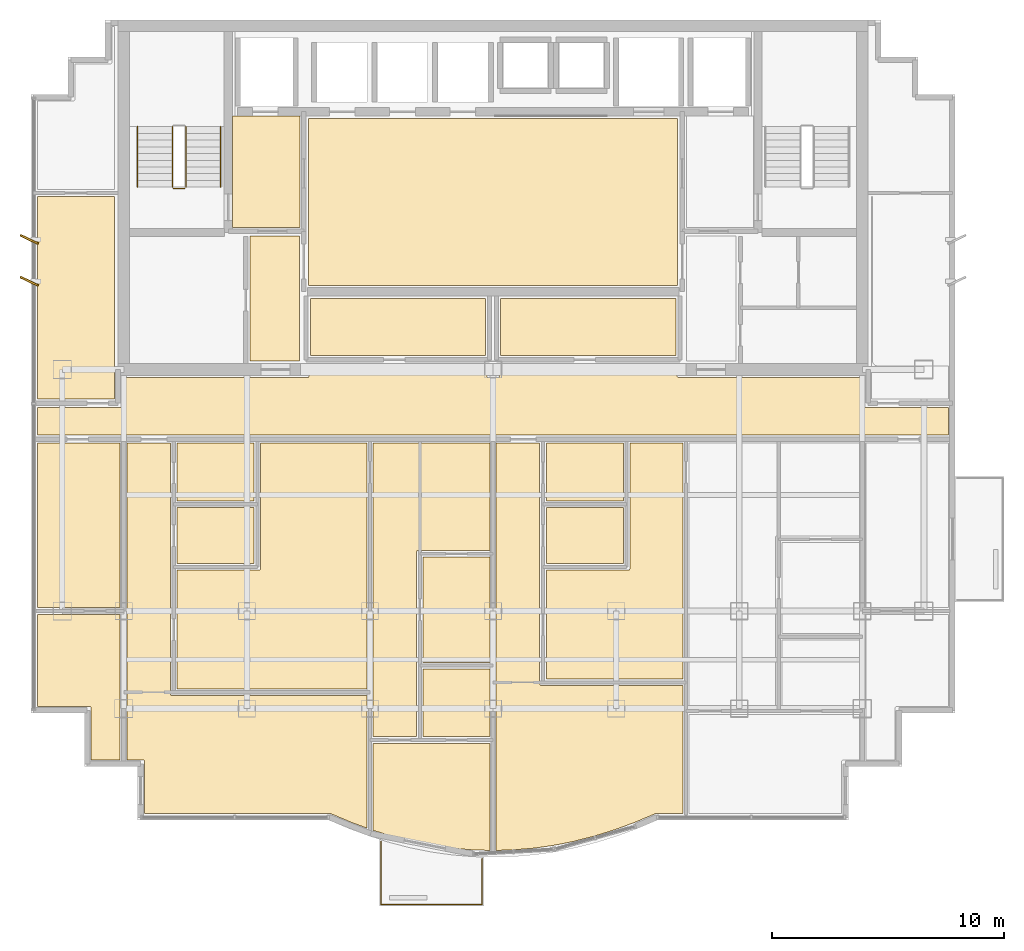
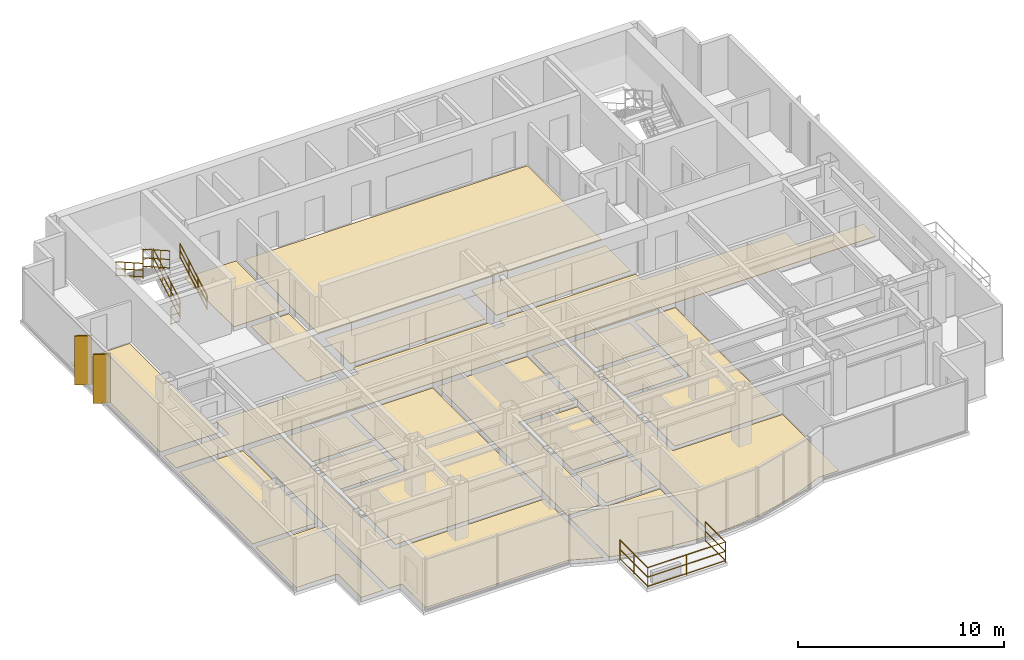
# One storey, part 10 of 11: 21 coverings, 6 railings, 2 shading devices.
"""IFC4 building model written with IfcOpenShell, lengths in metres."""

from ifc_helpers import new_model, si_unit, direction, frame, origin, origin_2d, place, context, subcontext, project, spatial, polyline, rectangle, circle, outline, extrude, source, transform, mapped, material, layer, layer_set, type_object, element, save


model = new_model("IFC4")

# Units and contexts
model_context = context("Model", 3, precision=1e-05, world=origin(), true_north=direction((0.0, 1.0)))
body_context = subcontext(model_context, "Body", "Model", "MODEL_VIEW")
ifc_project = project(units=[si_unit("LENGTHUNIT", "METRE"), si_unit("AREAUNIT", "SQUARE_METRE"), si_unit("VOLUMEUNIT", "CUBIC_METRE"), si_unit("PLANEANGLEUNIT", "RADIAN"), si_unit("MASSUNIT", "GRAM", prefix="KILO")], contexts=[model_context])

# Site, building, storey
site_placement = place(None, origin())
site = spatial("IfcSite", under=ifc_project, at=site_placement, CompositionType="ELEMENT")
building_placement = place(site_placement, origin())
building = spatial("IfcBuilding", under=site, at=building_placement, Name="Qianlan Lanfeng Residences", CompositionType="ELEMENT")
storey_placement = place(building_placement, frame((0.0, 0.0, 226.39990234375)))
storey = spatial("IfcBuildingStorey", under=building, at=storey_placement, Name="L62", CompositionType="ELEMENT", Elevation=226.39990234375)

# Coverings
ifc_material_1 = material(Name="Honed Taitung Granite Stone Flooring", Category="masonry")
ifc_layer_1 = layer(ifc_material_1, 0.030029296875)
ifc_layer_set_1 = layer_set([ifc_layer_1], Name="Honed Taitung Granite Stone Flooring")
covering_type_1 = type_object("IfcCoveringType", Name="FLR-STN-30", PredefinedType="FLOORING", material=ifc_layer_set_1)
covering_1_placement = place(storey_placement, origin())
element("IfcCovering", 1, at=covering_1_placement, inside=storey, type_object=covering_type_1, Name="L62 Firefighting Lift Lobby Floor Finish", PredefinedType="FLOORING", context=body_context, shape_type="SweptSolid", body=[
    extrude(outline(polyline([(15.2900390625, 31.320068359375), (18.179931640625, 31.320068359375), (18.179931640625, 36.110107421875), (15.2900390625, 36.110107421875), (15.2900390625, 31.320068359375)])), origin(), (0.0, 0.0, 1.0), 0.030029296875),
])
covering_2_placement = place(storey_placement, origin())
element("IfcCovering", 2, at=covering_2_placement, inside=storey, type_object=covering_type_1, Name="L62 Lift Lobby Floor Finish", PredefinedType="FLOORING", context=body_context, shape_type="SweptSolid", body=[
    extrude(outline(polyline([(18.550048828125, 28.820068359375), (34.449951171875, 28.820068359375), (34.449951171875, 36.010009765625), (18.550048828125, 36.010009765625), (18.550048828125, 28.820068359375)])), origin(), (0.0, 0.0, 1.0), 0.030029296875),
])
covering_3_placement = place(storey_placement, origin())
element("IfcCovering", 3, at=covering_3_placement, inside=storey, type_object=covering_type_1, Name="L62 Residential Corridor Floor Finish", PredefinedType="FLOORING", context=body_context, shape_type="SweptSolid", body=[
    extrude(outline(polyline([(6.889892578125, 22.3798828125), (46.110107421875, 22.3798828125), (46.110107421875, 23.570068359375), (42.5400390625, 23.570068359375), (42.532958984375, 23.570068359375), (42.52587890625, 23.571044921875), (42.52001953125, 23.572998046875), (42.512939453125, 23.574951171875), (42.507080078125, 23.577880859375), (42.5009765625, 23.58203125), (42.49609375, 23.5859375), (42.490966796875, 23.591064453125), (42.486083984375, 23.595947265625), (42.48193359375, 23.60107421875), (42.47802734375, 23.60693359375), (42.47509765625, 23.613037109375), (42.472900390625, 23.6201171875), (42.470947265625, 23.6259765625), (42.469970703125, 23.633056640625), (42.469970703125, 23.639892578125), (42.469970703125, 24.85009765625), (34.5, 24.85009765625), (34.492919921875, 24.85009765625), (34.486083984375, 24.85107421875), (34.47998046875, 24.85302734375), (34.472900390625, 24.85498046875), (34.467041015625, 24.85791015625), (34.4609375, 24.862060546875), (34.4560546875, 24.865966796875), (34.450927734375, 24.87109375), (34.446044921875, 24.8759765625), (34.44189453125, 24.881103515625), (34.43798828125, 24.886962890625), (34.43505859375, 24.89306640625), (34.43310546875, 24.89990234375), (34.430908203125, 24.906005859375), (34.429931640625, 24.9130859375), (34.429931640625, 24.919921875), (34.429931640625, 25.429931640625), (26.77001953125, 25.429931640625), (26.77001953125, 24.919921875), (26.77001953125, 24.9130859375), (26.76904296875, 24.906005859375), (26.76708984375, 24.89990234375), (26.764892578125, 24.89306640625), (26.761962890625, 24.886962890625), (26.758056640625, 24.881103515625), (26.75390625, 24.8759765625), (26.7490234375, 24.87109375), (26.743896484375, 24.865966796875), (26.739013671875, 24.862060546875), (26.73291015625, 24.85791015625), (26.72705078125, 24.85498046875), (26.719970703125, 24.85302734375), (26.714111328125, 24.85107421875), (26.70703125, 24.85009765625), (26.699951171875, 24.85009765625), (26.300048828125, 24.85009765625), (26.29296875, 24.85009765625), (26.285888671875, 24.85107421875), (26.280029296875, 24.85302734375), (26.27294921875, 24.85498046875), (26.26708984375, 24.85791015625), (26.260986328125, 24.862060546875), (26.256103515625, 24.865966796875), (26.2509765625, 24.87109375), (26.24609375, 24.8759765625), (26.241943359375, 24.881103515625), (26.238037109375, 24.886962890625), (26.235107421875, 24.89306640625), (26.23291015625, 24.89990234375), (26.23095703125, 24.906005859375), (26.22998046875, 24.9130859375), (26.22998046875, 24.919921875), (26.22998046875, 25.429931640625), (18.570068359375, 25.429931640625), (18.570068359375, 24.919921875), (18.570068359375, 24.9130859375), (18.569091796875, 24.906005859375), (18.56689453125, 24.89990234375), (18.56494140625, 24.89306640625), (18.56201171875, 24.886962890625), (18.55810546875, 24.881103515625), (18.553955078125, 24.8759765625), (18.549072265625, 24.87109375), (18.5439453125, 24.865966796875), (18.5390625, 24.862060546875), (18.532958984375, 24.85791015625), (18.527099609375, 24.85498046875), (18.52001953125, 24.85302734375), (18.513916015625, 24.85107421875), (18.507080078125, 24.85009765625), (18.5, 24.85009765625), (10.530029296875, 24.85009765625), (10.530029296875, 23.639892578125), (10.530029296875, 23.633056640625), (10.529052734375, 23.6259765625), (10.527099609375, 23.6201171875), (10.52490234375, 23.613037109375), (10.52197265625, 23.60693359375), (10.51806640625, 23.60107421875), (10.513916015625, 23.595947265625), (10.509033203125, 23.591064453125), (10.50390625, 23.5859375), (10.4990234375, 23.58203125), (10.492919921875, 23.577880859375), (10.487060546875, 23.574951171875), (10.47998046875, 23.572998046875), (10.47412109375, 23.571044921875), (10.467041015625, 23.570068359375), (10.4599609375, 23.570068359375), (6.889892578125, 23.570068359375), (6.889892578125, 22.3798828125)])), origin(), (0.0, 0.0, 1.0), 0.030029296875),
])
covering_4_placement = place(storey_placement, origin())
element("IfcCovering", 4, at=covering_4_placement, inside=storey, type_object=covering_type_1, Name="L62 Lift Lobby Floor Finish", PredefinedType="FLOORING", context=body_context, shape_type="SweptSolid", body=[
    extrude(outline(polyline([(16.030029296875, 25.56005859375), (18.169921875, 25.56005859375), (18.169921875, 30.949951171875), (16.030029296875, 30.949951171875), (16.030029296875, 25.56005859375)])), origin(), (0.0, 0.0, 1.0), 0.030029296875),
])
ifc_material_2 = material(Name="Slip-Resistant Porcelain Tile Flooring")
ifc_layer_2 = layer(ifc_material_2, 0.02001953125)
ifc_layer_set_2 = layer_set([ifc_layer_2], Name="Slip-Resistant Porcelain Tile Flooring")
covering_type_2 = type_object("IfcCoveringType", Name="FLR-TIL-20", PredefinedType="FLOORING", material=ifc_layer_set_2)
covering_5_placement = place(storey_placement, origin())
element("IfcCovering", 5, at=covering_5_placement, inside=storey, type_object=covering_type_2, Name="L62 Kitchen Floor Finish", PredefinedType="FLOORING", context=body_context, shape_type="SweptSolid", body=[
    extrude(outline(polyline([(12.889892578125, 16.840087890625), (16.2099609375, 16.840087890625), (16.2099609375, 19.260009765625), (12.889892578125, 19.260009765625), (12.889892578125, 16.840087890625)])), origin(), (0.0, 0.0, 1.0), 0.02001953125),
])
covering_6_placement = place(storey_placement, origin())
element("IfcCovering", 6, at=covering_6_placement, inside=storey, type_object=covering_type_2, Name="L62 Bathroom Floor Finish", PredefinedType="FLOORING", context=body_context, shape_type="SweptSolid", body=[
    extrude(outline(polyline([(12.889892578125, 19.5400390625), (16.2099609375, 19.5400390625), (16.2099609375, 22.030029296875), (12.889892578125, 22.030029296875), (12.889892578125, 19.5400390625)])), origin(), (0.0, 0.0, 1.0), 0.02001953125),
])
covering_7_placement = place(storey_placement, origin())
element("IfcCovering", 7, at=covering_7_placement, inside=storey, type_object=covering_type_2, Name="L62 En-Suite Bathroom Floor Finish", PredefinedType="FLOORING", context=body_context, shape_type="SweptSolid", body=[
    extrude(outline(polyline([(23.489990234375, 9.387939453125), (26.3701171875, 9.387939453125), (26.3701171875, 12.30810546875), (23.489990234375, 12.30810546875), (23.489990234375, 9.387939453125)])), origin(), (0.0, 0.0, 1.0), 0.02001953125),
])
covering_8_placement = place(storey_placement, origin())
element("IfcCovering", 8, at=covering_8_placement, inside=storey, type_object=covering_type_2, Name="L62 Kitchen Floor Finish", PredefinedType="FLOORING", context=body_context, shape_type="SweptSolid", body=[
    extrude(outline(polyline([(28.7900390625, 16.840087890625), (32.110107421875, 16.840087890625), (32.110107421875, 19.260009765625), (28.7900390625, 19.260009765625), (28.7900390625, 16.840087890625)])), origin(), (0.0, 0.0, 1.0), 0.02001953125),
])
covering_9_placement = place(storey_placement, origin())
element("IfcCovering", 9, at=covering_9_placement, inside=storey, type_object=covering_type_2, Name="L62 Bathroom Floor Finish", PredefinedType="FLOORING", context=body_context, shape_type="SweptSolid", body=[
    extrude(outline(polyline([(28.7900390625, 19.5400390625), (32.110107421875, 19.5400390625), (32.110107421875, 22.030029296875), (28.7900390625, 22.030029296875), (28.7900390625, 19.5400390625)])), origin(), (0.0, 0.0, 1.0), 0.02001953125),
])
ifc_material_3 = material(Name="Engineered Smoked Oak Timber Flooring", Category="wood")
ifc_layer_3 = layer(ifc_material_3, 0.02197265625)
ifc_layer_set_3 = layer_set([ifc_layer_3], Name="Engineered Smoked Oak Timber Flooring")
covering_type_3 = type_object("IfcCoveringType", Name="FLR-TIM-22", PredefinedType="FLOORING", material=ifc_layer_set_3)
covering_10_placement = place(storey_placement, origin())
element("IfcCovering", 10, at=covering_10_placement, inside=storey, type_object=covering_type_3, Name="L62 Resident Reading Lounge Floor Finish", PredefinedType="FLOORING", context=body_context, shape_type="SweptSolid", body=[
    extrude(outline(polyline([(18.6298828125, 25.800048828125), (26.169921875, 25.800048828125), (26.169921875, 28.2548828125), (18.6298828125, 28.2548828125), (18.6298828125, 25.800048828125)])), origin(), (0.0, 0.0, 1.0), 0.022216796875),
])
covering_11_placement = place(storey_placement, origin())
element("IfcCovering", 11, at=covering_11_placement, inside=storey, type_object=covering_type_3, Name="L62 Panoramic Sky Foyer Salon Floor Finish", PredefinedType="FLOORING", context=body_context, shape_type="SweptSolid", body=[
    extrude(outline(polyline([(26.830078125, 25.800048828125), (34.3701171875, 25.800048828125), (34.3701171875, 28.2548828125), (26.830078125, 28.2548828125), (26.830078125, 25.800048828125)])), origin(), (0.0, 0.0, 1.0), 0.022216796875),
])
covering_12_placement = place(storey_placement, origin())
element("IfcCovering", 12, at=covering_12_placement, inside=storey, type_object=covering_type_3, Name="L62 Living and Dining Room Floor Finish", PredefinedType="FLOORING", context=body_context, shape_type="SweptSolid", body=[
    extrude(outline(polyline([(21.070068359375, 5.452880859375), (21.070068359375, 11.1630859375), (12.679931640625, 11.1630859375), (12.673095703125, 11.1630859375), (12.666015625, 11.1640625), (12.659912109375, 11.166015625), (12.653076171875, 11.16796875), (12.64697265625, 11.1708984375), (12.64111328125, 11.175048828125), (12.635986328125, 11.178955078125), (12.631103515625, 11.18408203125), (12.6259765625, 11.18896484375), (12.6220703125, 11.194091796875), (12.617919921875, 11.199951171875), (12.614990234375, 11.2060546875), (12.613037109375, 11.212890625), (12.611083984375, 11.218994140625), (12.610107421875, 11.22607421875), (12.610107421875, 11.23291015625), (12.610107421875, 22.030029296875), (10.72998046875, 22.030029296875), (10.72998046875, 8.389892578125), (11.419921875, 8.389892578125), (11.427001953125, 8.389892578125), (11.43408203125, 8.388916015625), (11.43994140625, 8.386962890625), (11.447021484375, 8.385009765625), (11.452880859375, 8.382080078125), (11.458984375, 8.3779296875), (11.464111328125, 8.3740234375), (11.468994140625, 8.368896484375), (11.47412109375, 8.364013671875), (11.47802734375, 8.35888671875), (11.48193359375, 8.35302734375), (11.485107421875, 8.346923828125), (11.487060546875, 8.340087890625), (11.489013671875, 8.333984375), (11.489990234375, 8.326904296875), (11.489990234375, 8.320068359375), (11.489990234375, 6.090087890625), (19.465087890625, 6.090087890625), (19.471923828125, 6.090087890625), (19.47900390625, 6.089111328125), (19.485107421875, 6.0869140625), (19.491943359375, 6.083984375), (20.412109375, 5.695068359375), (21.070068359375, 5.452880859375)])), origin(), (0.0, 0.0, 1.0), 0.022216796875),
])
covering_13_placement = place(storey_placement, origin())
element("IfcCovering", 13, at=covering_13_placement, inside=storey, type_object=covering_type_3, Name="L62 Villa Family Sitting Room Floor Finish", PredefinedType="FLOORING", context=body_context, shape_type="SweptSolid", body=[
    extrude(outline(polyline([(12.889892578125, 11.443115234375), (21.070068359375, 11.443115234375), (21.070068359375, 22.030029296875), (16.489990234375, 22.030029296875), (16.489990234375, 16.6298828125), (16.489990234375, 16.623046875), (16.489013671875, 16.615966796875), (16.487060546875, 16.610107421875), (16.485107421875, 16.60302734375), (16.48193359375, 16.596923828125), (16.47802734375, 16.591064453125), (16.47412109375, 16.5859375), (16.468994140625, 16.5810546875), (16.464111328125, 16.575927734375), (16.458984375, 16.572021484375), (16.452880859375, 16.568115234375), (16.447021484375, 16.56494140625), (16.43994140625, 16.56298828125), (16.43408203125, 16.56103515625), (16.427001953125, 16.56005859375), (16.419921875, 16.56005859375), (12.889892578125, 16.56005859375), (12.889892578125, 11.443115234375)])), origin(), (0.0, 0.0, 1.0), 0.022216796875),
])
covering_14_placement = place(storey_placement, origin())
element("IfcCovering", 14, at=covering_14_placement, inside=storey, type_object=covering_type_3, Name="L62 Private Study Floor Finish", PredefinedType="FLOORING", context=body_context, shape_type="SweptSolid", body=[
    extrude(outline(polyline([(23.489990234375, 12.587890625), (26.3701171875, 12.587890625), (26.3701171875, 17.134033203125), (23.489990234375, 17.134033203125), (23.489990234375, 12.587890625)])), origin(), (0.0, 0.0, 1.0), 0.022216796875),
])
covering_15_placement = place(storey_placement, origin())
element("IfcCovering", 15, at=covering_15_placement, inside=storey, type_object=covering_type_3, Name="L62 Villa Family Sitting Room Floor Finish", PredefinedType="FLOORING", context=body_context, shape_type="SweptSolid", body=[
    extrude(outline(polyline([(21.330078125, 9.387939453125), (23.2099609375, 9.387939453125), (23.2099609375, 17.343994140625), (23.2099609375, 17.35107421875), (23.2109375, 17.35791015625), (23.212890625, 17.364013671875), (23.215087890625, 17.37109375), (23.218017578125, 17.376953125), (23.221923828125, 17.383056640625), (23.22607421875, 17.387939453125), (23.23095703125, 17.39306640625), (23.236083984375, 17.39794921875), (23.240966796875, 17.402099609375), (23.2470703125, 17.406005859375), (23.2529296875, 17.408935546875), (23.260009765625, 17.410888671875), (23.26611328125, 17.4130859375), (23.27294921875, 17.4140625), (23.280029296875, 17.4140625), (26.3701171875, 17.4140625), (26.3701171875, 22.030029296875), (21.330078125, 22.030029296875), (21.330078125, 9.387939453125)])), origin(), (0.0, 0.0, 1.0), 0.022216796875),
])
covering_16_placement = place(storey_placement, origin())
element("IfcCovering", 16, at=covering_16_placement, inside=storey, type_object=covering_type_3, Name="L62 Master Bedroom Floor Finish", PredefinedType="FLOORING", context=body_context, shape_type="SweptSolid", body=[
    extrude(outline(polyline([(21.330078125, 9.10791015625), (21.3310546875, 5.360107421875), (22.154052734375, 5.10400390625), (23.02392578125, 4.883056640625), (23.89306640625, 4.7109375), (24.762939453125, 4.587890625), (25.631103515625, 4.514892578125), (26.3701171875, 4.493896484375), (26.3701171875, 9.10791015625), (21.330078125, 9.10791015625)])), origin(), (0.0, 0.0, 1.0), 0.022216796875),
])
covering_17_placement = place(storey_placement, origin())
element("IfcCovering", 17, at=covering_17_placement, inside=storey, type_object=covering_type_3, Name="L62 Living and Dining Room Floor Finish", PredefinedType="FLOORING", context=body_context, shape_type="SweptSolid", body=[
    extrude(outline(polyline([(34.669921875, 6.090087890625), (34.669921875, 11.589111328125), (28.580078125, 11.589111328125), (28.572998046875, 11.589111328125), (28.56591796875, 11.590087890625), (28.56005859375, 11.592041015625), (28.552978515625, 11.593994140625), (28.547119140625, 11.596923828125), (28.541015625, 11.60107421875), (28.535888671875, 11.60498046875), (28.531005859375, 11.610107421875), (28.52587890625, 11.614990234375), (28.52197265625, 11.6201171875), (28.51806640625, 11.6259765625), (28.514892578125, 11.632080078125), (28.512939453125, 11.638916015625), (28.510986328125, 11.64501953125), (28.510009765625, 11.652099609375), (28.510009765625, 11.658935546875), (28.510009765625, 22.030029296875), (26.6298828125, 22.030029296875), (26.6298828125, 4.493896484375), (27.368896484375, 4.514892578125), (28.237060546875, 4.587890625), (29.10693359375, 4.7109375), (29.97607421875, 4.883056640625), (30.845947265625, 5.10400390625), (31.717041015625, 5.375), (32.587890625, 5.695068359375), (33.508056640625, 6.083984375), (33.514892578125, 6.0869140625), (33.52099609375, 6.089111328125), (33.528076171875, 6.090087890625), (33.534912109375, 6.090087890625), (34.669921875, 6.090087890625)])), origin(), (0.0, 0.0, 1.0), 0.022216796875),
])
covering_18_placement = place(storey_placement, origin())
element("IfcCovering", 18, at=covering_18_placement, inside=storey, type_object=covering_type_3, Name="L62 Villa Family Sitting Room Floor Finish", PredefinedType="FLOORING", context=body_context, shape_type="SweptSolid", body=[
    extrude(outline(polyline([(28.7900390625, 11.868896484375), (34.669921875, 11.868896484375), (34.669921875, 22.030029296875), (32.389892578125, 22.030029296875), (32.389892578125, 16.6298828125), (32.389892578125, 16.623046875), (32.388916015625, 16.615966796875), (32.386962890625, 16.610107421875), (32.385009765625, 16.60302734375), (32.382080078125, 16.596923828125), (32.3779296875, 16.591064453125), (32.3740234375, 16.5859375), (32.368896484375, 16.5810546875), (32.364013671875, 16.575927734375), (32.35888671875, 16.572021484375), (32.35302734375, 16.568115234375), (32.346923828125, 16.56494140625), (32.340087890625, 16.56298828125), (32.333984375, 16.56103515625), (32.326904296875, 16.56005859375), (32.320068359375, 16.56005859375), (28.7900390625, 16.56005859375), (28.7900390625, 11.868896484375)])), origin(), (0.0, 0.0, 1.0), 0.022216796875),
])
covering_19_placement = place(storey_placement, origin())
element("IfcCovering", 19, at=covering_19_placement, inside=storey, type_object=covering_type_3, Name="L62 Sunroom Floor Finish", PredefinedType="FLOORING", context=body_context, shape_type="SweptSolid", body=[
    extrude(outline(polyline([(10.43994140625, 14.64990234375), (6.889892578125, 14.64990234375), (6.889892578125, 10.68994140625), (9.1201171875, 10.68994140625), (9.126953125, 10.68994140625), (9.134033203125, 10.68896484375), (9.139892578125, 10.68701171875), (9.14697265625, 10.68505859375), (9.153076171875, 10.681884765625), (9.158935546875, 10.677978515625), (9.1640625, 10.674072265625), (9.1689453125, 10.6689453125), (9.174072265625, 10.6640625), (9.177978515625, 10.658935546875), (9.181884765625, 10.653076171875), (9.18505859375, 10.64697265625), (9.18701171875, 10.639892578125), (9.18896484375, 10.634033203125), (9.18994140625, 10.626953125), (9.18994140625, 10.6201171875), (9.18994140625, 8.389892578125), (10.43994140625, 8.389892578125), (10.43994140625, 14.64990234375)])), origin(), (0.0, 0.0, 1.0), 0.022216796875),
])
covering_20_placement = place(storey_placement, origin())
element("IfcCovering", 20, at=covering_20_placement, inside=storey, type_object=covering_type_3, Name="L62 Family Sitting Room Floor Finish", PredefinedType="FLOORING", context=body_context, shape_type="SweptSolid", body=[
    extrude(outline(polyline([(10.43994140625, 22.030029296875), (6.889892578125, 22.030029296875), (6.889892578125, 14.949951171875), (10.43994140625, 14.949951171875), (10.43994140625, 22.030029296875)])), origin(), (0.0, 0.0, 1.0), 0.022216796875),
])
covering_21_placement = place(storey_placement, origin())
element("IfcCovering", 21, at=covering_21_placement, inside=storey, type_object=covering_type_3, Name="L62 Tea Salon Floor Finish", PredefinedType="FLOORING", context=body_context, shape_type="SweptSolid", body=[
    extrude(outline(polyline([(10.199951171875, 32.64990234375), (6.889892578125, 32.64990234375), (6.889892578125, 23.929931640625), (10.199951171875, 23.929931640625), (10.199951171875, 32.64990234375)])), origin(), (0.0, 0.0, 1.0), 0.022216796875),
])

# Railings
ifc_material_4 = material(Name="Anodised Bronze Aluminium and Laminated Glass Guard Balustrade", Category="aluminium")
railing_type_1 = type_object("IfcRailingType", Name="GR-EXT-1220", PredefinedType="BALUSTRADE", material=ifc_material_4)
railing_1_placement = place(storey_placement, frame((26.030029296875, 4.14306640625, 0.0)))
element("IfcRailing", 22, at=railing_1_placement, inside=storey, type_object=railing_type_1, Name="L62 Terrace Safety Guard GR-L62-SB-C", PredefinedType="BALUSTRADE", context=body_context, shape_type="SweptSolid", body=[
    extrude(circle(Radius=0.02490234375, at=origin_2d()), frame((0.0, 0.0, 0.0849609375), z_axis=(0.0, -1.0, 0.0), x_axis=(1.0, 0.0, 0.0)), (0.0, 0.0, 1.0), 1.97314453125),
    extrude(circle(Radius=0.02490234375, at=origin_2d()), frame((0.0, 0.0, 0.63427734375), z_axis=(0.0, -1.0, 0.0), x_axis=(1.0, 0.0, 0.0)), (0.0, 0.0, 1.0), 1.97314453125),
    extrude(circle(Radius=0.02490234375, at=origin_2d()), frame((0.0, 0.0, 1.19482421875), z_axis=(0.0, -1.0, 0.0), x_axis=(1.0, 0.0, 0.0)), (0.0, 0.0, 1.0), 1.97314453125),
    extrude(circle(Radius=0.02490234375, at=origin_2d()), frame((0.0, -1.97314453125, 0.0849609375), z_axis=(-1.0, 0.0, 0.0), x_axis=(0.0, -1.0, 0.0)), (0.0, 0.0, 1.0), 4.360107421875),
    extrude(circle(Radius=0.02490234375, at=origin_2d()), frame((0.0, -1.97314453125, 0.63427734375), z_axis=(-1.0, 0.0, 0.0), x_axis=(0.0, -1.0, 0.0)), (0.0, 0.0, 1.0), 4.360107421875),
    extrude(circle(Radius=0.02490234375, at=origin_2d()), frame((0.0, -1.97314453125, 1.19482421875), z_axis=(-1.0, 0.0, 0.0), x_axis=(0.0, -1.0, 0.0)), (0.0, 0.0, 1.0), 4.360107421875),
    extrude(circle(Radius=0.02490234375, at=origin_2d()), frame((-4.360107421875, -1.97314453125, 0.0849609375), z_axis=(0.0, 1.0, 0.0), x_axis=(-1.0, 0.0, 0.0)), (0.0, 0.0, 1.0), 2.7080078125),
    extrude(circle(Radius=0.02490234375, at=origin_2d()), frame((-4.360107421875, -1.97314453125, 0.63427734375), z_axis=(0.0, 1.0, 0.0), x_axis=(-1.0, 0.0, 0.0)), (0.0, 0.0, 1.0), 2.7080078125),
    extrude(circle(Radius=0.02490234375, at=origin_2d()), frame((-4.360107421875, -1.97314453125, 1.19482421875), z_axis=(0.0, 1.0, 0.0), x_axis=(-1.0, 0.0, 0.0)), (0.0, 0.0, 1.0), 2.7080078125),
    extrude(circle(Radius=0.02099609375, at=origin_2d()), origin(), (0.0, 0.0, 1.0), 1.169921875),
    extrude(circle(Radius=0.02099609375, at=origin_2d()), frame((0.0, -1.97314453125, 0.0)), (0.0, 0.0, 1.0), 1.169921875),
    extrude(circle(Radius=0.02099609375, at=origin_2d()), frame((-2.18017578125, -1.97314453125, 0.0)), (0.0, 0.0, 1.0), 1.169921875),
    extrude(circle(Radius=0.02099609375, at=origin_2d()), frame((-4.360107421875, -1.97314453125, 0.0)), (0.0, 0.0, 1.0), 1.169921875),
    extrude(circle(Radius=0.02099609375, at=origin_2d()), frame((-4.360107421875, -0.619140625, 0.0)), (0.0, 0.0, 1.0), 1.169921875),
    extrude(circle(Radius=0.02099609375, at=origin_2d()), frame((-4.360107421875, 0.73486328125, 0.0)), (0.0, 0.0, 1.0), 1.169921875),
])
ifc_material_5 = material(Name="Painted Galvanised Steel Guardrail", Category="steel")
railing_type_2 = type_object("IfcRailingType", Name="GR-ST-1120", PredefinedType="GUARDRAIL", material=ifc_material_5)
railing_2_placement = place(storey_placement, frame((13.27001953125, 33.050048828125, 0.1650390625)))
element("IfcRailing", 23, at=railing_2_placement, inside=storey, type_object=railing_type_2, Name="L62 ST-1 stair guard 1", PredefinedType="GUARDRAIL", context=body_context, shape_type="SweptSolid", body=[
    extrude(circle(Radius=0.02392578125, at=origin_2d()), frame((0.0, 0.0, 0.083984375), z_axis=(0.0, 0.869137319866, 0.494570843475), x_axis=(-1.0, 0.0, 0.0)), (0.0, 0.0, 1.0), 3.0029296875),
    extrude(circle(Radius=0.02392578125, at=origin_2d()), frame((0.0, 0.0, 0.58251953125), z_axis=(0.0, 0.869137319866, 0.494570843475), x_axis=(-1.0, 0.0, 0.0)), (0.0, 0.0, 1.0), 3.0029296875),
    extrude(circle(Radius=0.02392578125, at=origin_2d()), frame((0.0, 0.0, 1.09619140625), z_axis=(0.0, 0.869137319866, 0.494570843475), x_axis=(-1.0, 0.0, 0.0)), (0.0, 0.0, 1.0), 3.0029296875),
    extrude(circle(Radius=0.02099609375, at=origin_2d()), origin(), (0.0, 0.0, 1.0), 1.072021484375),
    extrude(circle(Radius=0.02099609375, at=origin_2d()), frame((0.0, 0.869873046875, 0.4951171875)), (0.0, 0.0, 1.0), 1.072021484375),
    extrude(circle(Radius=0.02099609375, at=origin_2d()), frame((0.0, 1.739990234375, 0.989990234375)), (0.0, 0.0, 1.0), 1.072021484375),
    extrude(circle(Radius=0.02099609375, at=origin_2d()), frame((0.0, 2.60986328125, 1.485107421875)), (0.0, 0.0, 1.0), 1.072021484375),
])
railing_3_placement = place(storey_placement, frame((12.68994140625, 35.659912109375, 1.815185546875)))
element("IfcRailing", 24, at=railing_3_placement, inside=storey, type_object=railing_type_2, Name="L62 ST-1 stair guard 3", PredefinedType="GUARDRAIL", context=body_context, shape_type="SweptSolid", body=[
    extrude(circle(Radius=0.02392578125, at=origin_2d()), frame((0.0, 0.0, 0.083984375), z_axis=(0.0, -0.869172267526, 0.494509422927), x_axis=(1.0, 0.0, 0.0)), (0.0, 0.0, 1.0), 3.002685546875),
    extrude(circle(Radius=0.02392578125, at=origin_2d()), frame((0.0, 0.0, 0.58251953125), z_axis=(0.0, -0.869172267526, 0.494509422927), x_axis=(1.0, 0.0, 0.0)), (0.0, 0.0, 1.0), 3.002685546875),
    extrude(circle(Radius=0.02392578125, at=origin_2d()), frame((0.0, 0.0, 1.09619140625), z_axis=(0.0, -0.869172267526, 0.494509422927), x_axis=(1.0, 0.0, 0.0)), (0.0, 0.0, 1.0), 3.002685546875),
    extrude(circle(Radius=0.02099609375, at=origin_2d()), origin(), (0.0, 0.0, 1.0), 1.072021484375),
    extrude(circle(Radius=0.02099609375, at=origin_2d()), frame((0.0, -0.869873046875, 0.494873046875)), (0.0, 0.0, 1.0), 1.072021484375),
    extrude(circle(Radius=0.02099609375, at=origin_2d()), frame((0.0, -1.739990234375, 0.989990234375)), (0.0, 0.0, 1.0), 1.072021484375),
    extrude(circle(Radius=0.02099609375, at=origin_2d()), frame((0.0, -2.60986328125, 1.48486328125)), (0.0, 0.0, 1.0), 1.072021484375),
])
railing_4_placement = place(storey_placement, frame((13.219970703125, 33.0, 0.0)))
element("IfcRailing", 25, at=railing_4_placement, inside=storey, type_object=railing_type_2, Name="L62 ST-1 stair guard 4", PredefinedType="GUARDRAIL", context=body_context, shape_type="SweptSolid", body=[
    extrude(circle(Radius=0.02392578125, at=origin_2d()), frame((0.0, 0.0, 0.083984375), z_axis=(-1.0, 0.0, 0.0), x_axis=(0.0, -1.0, 0.0)), (0.0, 0.0, 1.0), 0.47998046875),
    extrude(circle(Radius=0.02392578125, at=origin_2d()), frame((0.0, 0.0, 0.58251953125), z_axis=(-1.0, 0.0, 0.0), x_axis=(0.0, -1.0, 0.0)), (0.0, 0.0, 1.0), 0.47998046875),
    extrude(circle(Radius=0.02392578125, at=origin_2d()), frame((0.0, 0.0, 1.09619140625), z_axis=(-1.0, 0.0, 0.0), x_axis=(0.0, -1.0, 0.0)), (0.0, 0.0, 1.0), 0.47998046875),
    extrude(circle(Radius=0.02099609375, at=origin_2d()), origin(), (0.0, 0.0, 1.0), 1.072021484375),
    extrude(circle(Radius=0.02099609375, at=origin_2d()), frame((-0.47998046875, 0.0, 0.0)), (0.0, 0.0, 1.0), 1.072021484375),
])
ifc_material_6 = material(Name="Brushed Stainless Steel Handrail", Category="steel")
railing_type_3 = type_object("IfcRailingType", Name="HR-ST-920", PredefinedType="HANDRAIL", material=ifc_material_6)
railing_5_placement = place(storey_placement, frame((14.77001953125, 33.050048828125, 0.1650390625)))
element("IfcRailing", 26, at=railing_5_placement, inside=storey, type_object=railing_type_3, Name="L62 ST-1 stair handrail 1", PredefinedType="HANDRAIL", context=body_context, shape_type="SweptSolid", body=[
    extrude(circle(Radius=0.02392578125, at=origin_2d()), frame((0.0, 0.0, 0.083984375), z_axis=(0.0, 0.869137319866, 0.494570843475), x_axis=(-1.0, 0.0, 0.0)), (0.0, 0.0, 1.0), 3.0029296875),
    extrude(circle(Radius=0.02392578125, at=origin_2d()), frame((0.0, 0.0, 0.468017578125), z_axis=(0.0, 0.869137319866, 0.494570843475), x_axis=(-1.0, 0.0, 0.0)), (0.0, 0.0, 1.0), 3.0029296875),
    extrude(circle(Radius=0.02392578125, at=origin_2d()), frame((0.0, 0.0, 0.8759765625), z_axis=(0.0, 0.869137319866, 0.494570843475), x_axis=(-1.0, 0.0, 0.0)), (0.0, 0.0, 1.0), 3.0029296875),
    extrude(circle(Radius=0.02099609375, at=origin_2d()), origin(), (0.0, 0.0, 1.0), 0.851806640625),
    extrude(circle(Radius=0.02099609375, at=origin_2d()), frame((0.0, 0.869873046875, 0.4951171875)), (0.0, 0.0, 1.0), 0.851806640625),
    extrude(circle(Radius=0.02099609375, at=origin_2d()), frame((0.0, 1.739990234375, 0.989990234375)), (0.0, 0.0, 1.0), 0.851806640625),
    extrude(circle(Radius=0.02099609375, at=origin_2d()), frame((0.0, 2.60986328125, 1.485107421875)), (0.0, 0.0, 1.0), 0.851806640625),
])
railing_6_placement = place(storey_placement, frame((11.18994140625, 35.659912109375, 1.815185546875)))
element("IfcRailing", 27, at=railing_6_placement, inside=storey, type_object=railing_type_3, Name="L62 ST-1 stair handrail 2", PredefinedType="HANDRAIL", context=body_context, shape_type="SweptSolid", body=[
    extrude(circle(Radius=0.02392578125, at=origin_2d()), frame((0.0, 0.0, 0.083984375), z_axis=(0.0, -0.869172267526, 0.494509422927), x_axis=(1.0, 0.0, 0.0)), (0.0, 0.0, 1.0), 3.002685546875),
    extrude(circle(Radius=0.02392578125, at=origin_2d()), frame((0.0, 0.0, 0.468017578125), z_axis=(0.0, -0.869172267526, 0.494509422927), x_axis=(1.0, 0.0, 0.0)), (0.0, 0.0, 1.0), 3.002685546875),
    extrude(circle(Radius=0.02392578125, at=origin_2d()), frame((0.0, 0.0, 0.8759765625), z_axis=(0.0, -0.869172267526, 0.494509422927), x_axis=(1.0, 0.0, 0.0)), (0.0, 0.0, 1.0), 3.002685546875),
    extrude(circle(Radius=0.02099609375, at=origin_2d()), origin(), (0.0, 0.0, 1.0), 0.851806640625),
    extrude(circle(Radius=0.02099609375, at=origin_2d()), frame((0.0, -0.869873046875, 0.494873046875)), (0.0, 0.0, 1.0), 0.851806640625),
    extrude(circle(Radius=0.02099609375, at=origin_2d()), frame((0.0, -1.739990234375, 0.989990234375)), (0.0, 0.0, 1.0), 0.851806640625),
    extrude(circle(Radius=0.02099609375, at=origin_2d()), frame((0.0, -2.60986328125, 1.48486328125)), (0.0, 0.0, 1.0), 0.851806640625),
])

# Shading devices
ifc_material_7 = material(Name="Anodised Bronze Aluminium Solar Fin", Category="aluminium")
shading_device_type = type_object("IfcShadingDeviceType", Name="FIN-BRZ-850", PredefinedType="SHUTTER", material=ifc_material_7)
shared_shape = source(origin(), body_context, "Body", "SweptSolid", [
    extrude(rectangle(XDim=0.85009765625, YDim=0.080078125, at=origin_2d()), origin(), (0.0, 0.0, 1.0), 2.89990234375),
])
for number, where, z_axis, x_axis, name in (
    (28, (6.530029296875, 29.0, 0.000244140625), (0.0, 0.0, 1.0), (0.898794046299, -0.438371146789, 0.0), "L62 Raked Bronze Solar Fin W1"),
    (29, (6.530029296875, 30.800048828125, 0.000244140625), (0.0, 0.0, 1.0), (0.898794046299, -0.438371146789, 0.0), "L62 Raked Bronze Solar Fin W2"),
):
    element("IfcShadingDevice", number, at=place(storey_placement, frame(where, z_axis=z_axis, x_axis=x_axis)), inside=storey, type_object=shading_device_type, Name=name, PredefinedType="SHUTTER", context=body_context, shape_type="MappedRepresentation", body=[
        mapped(shared_shape, transform((0.0, 0.0, 0.0), scale=1.0)),
    ])

save(model, "model.ifc")
